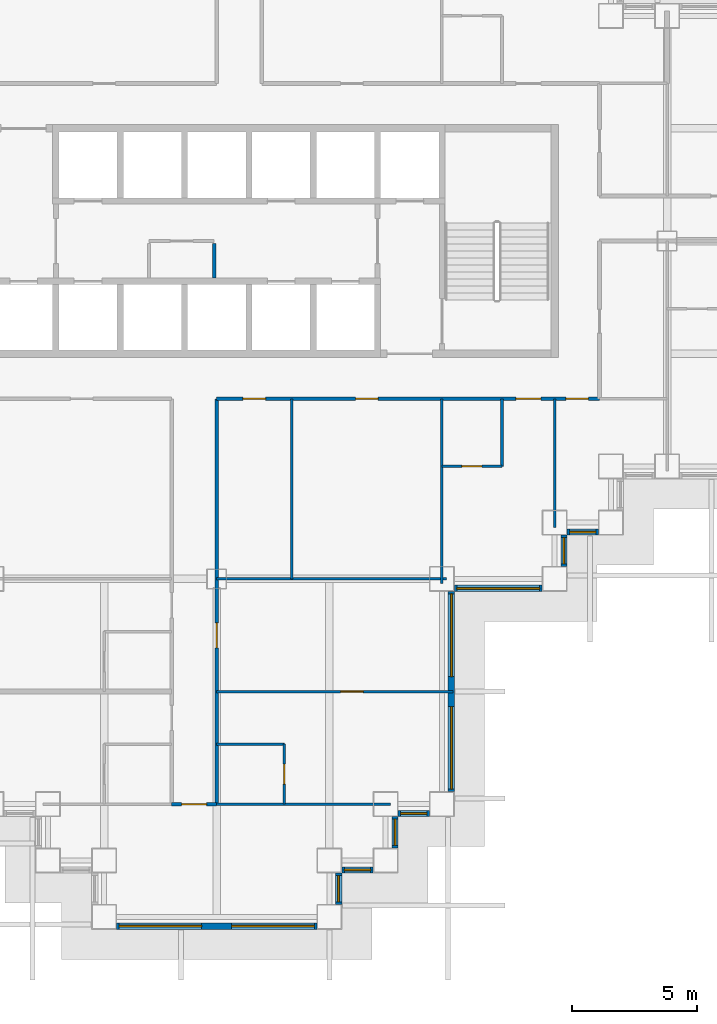
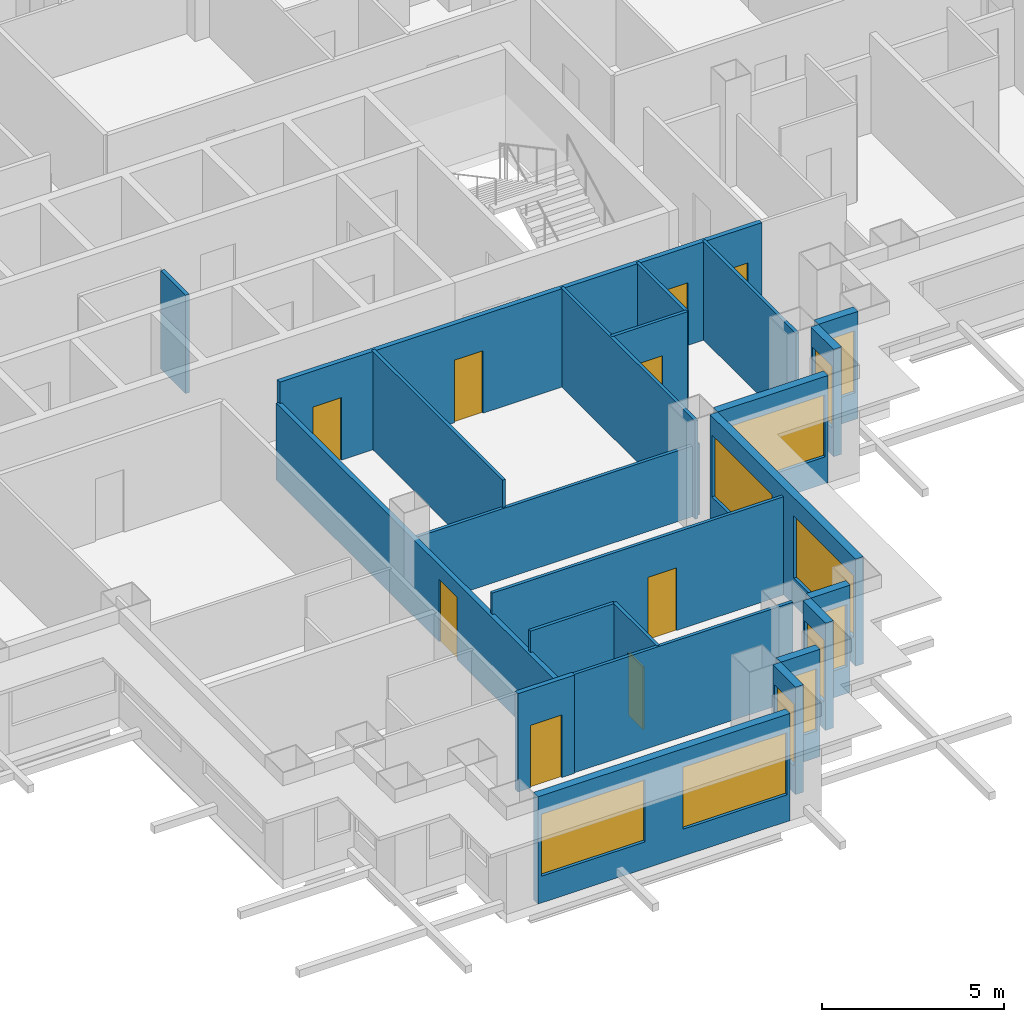
# One storey, part 5 of 15: 23 walls, 11 windows, 9 doors, 20 openings.
"""IFC4 building model written with IfcOpenShell, lengths in metres."""

from ifc_helpers import new_model, si_unit, direction, frame, frame_2d, origin, place, context, subcontext, project, spatial, rectangle, extrude, material, layer, layer_set, type_object, element, fill, save


model = new_model("IFC4")

# Units and contexts
model_context = context("Model", 3, precision=1e-05, world=origin(), true_north=direction((0.0, 1.0)))
body_context = subcontext(model_context, "Body", "Model", "MODEL_VIEW")
ifc_project = project(units=[si_unit("LENGTHUNIT", "METRE"), si_unit("AREAUNIT", "SQUARE_METRE"), si_unit("VOLUMEUNIT", "CUBIC_METRE"), si_unit("PLANEANGLEUNIT", "RADIAN"), si_unit("MASSUNIT", "GRAM", prefix="KILO")], contexts=[model_context])

# Site, building, storey
site_placement = place(None, origin())
site = spatial("IfcSite", under=ifc_project, at=site_placement, CompositionType="ELEMENT")
building_placement = place(site_placement, origin())
building = spatial("IfcBuilding", under=site, at=building_placement, Name="Caravel Reach Hotel and Residences", CompositionType="ELEMENT")
storey_placement = place(building_placement, frame((0.0, 0.0, 60.0)))
storey = spatial("IfcBuildingStorey", under=building, at=storey_placement, Name="L13", CompositionType="ELEMENT", Elevation=60.0)

# Wall, opening, door
ifc_material_1 = material(Name="Gypsum board on steel stud", Category="steel")
ifc_layer_1 = layer(ifc_material_1, 0.10009765625)
ifc_layer_set_1 = layer_set([ifc_layer_1], Name="Bathroom pod wall 100 mm")
wall_type_1 = type_object("IfcWallType", Name="Bathroom pod wall 100 mm", PredefinedType="PARTITIONING", material=ifc_layer_set_1)
wall_1_placement = place(storey_placement, frame((40.5, 18.0, 0.0), z_axis=(0.0, 0.0, 1.0), x_axis=(1.0, 0.0, 0.0)))
wall_1 = element("IfcWall", 1, at=wall_1_placement, inside=storey, type_object=wall_type_1, Name="L13 wall w076", PredefinedType="PARTITIONING", context=body_context, shape_type="SweptSolid", body=[
    extrude(rectangle(XDim=2.39990234375, YDim=0.10009765625, at=frame_2d((1.199951171875, 0.0))), origin(), (0.0, 0.0, 1.0), 3.300048828125),
])
opening_1_placement = place(wall_1_placement, frame((0.800048828125, 0.0, 0.0)))
opening_1 = element("IfcOpeningElement", 2, at=opening_1_placement, cuts=wall_1, Name="Opening D13-050", PredefinedType="OPENING", context=body_context, shape_type="SweptSolid", body=[
    extrude(rectangle(XDim=0.800048828125, YDim=2.10009765625, at=frame_2d((0.39990234375, 1.050048828125))), frame((0.0, 0.06005859375, 0.0), z_axis=(0.0, -1.0, 0.0), x_axis=(1.0, 0.0, 0.0)), (0.0, 0.0, 1.0), 0.1201171875),
])
ifc_material_2 = material(Name="Timber and steel door leaf", Category="steel")
door_type_1 = type_object("IfcDoorType", Name="Bathroom door 800 x 2100", OperationType="SINGLE_SWING_LEFT", PredefinedType="DOOR", material=ifc_material_2)
door_1_placement = place(opening_1_placement, origin())
door_1 = element("IfcDoor", 3, at=door_1_placement, inside=storey, type_object=door_type_1, Name="door D13-050", OperationType="SINGLE_SWING_LEFT", OverallHeight=2.10009765625, OverallWidth=0.800048828125, PredefinedType="DOOR", context=body_context, shape_type="SweptSolid", body=[
    extrude(rectangle(XDim=0.800048828125, YDim=2.10009765625, at=frame_2d((0.39990234375, 1.050048828125))), frame((0.0, 0.02490234375, 0.0), z_axis=(0.0, -1.0, 0.0), x_axis=(1.0, 0.0, 0.0)), (0.0, 0.0, 1.0), 0.050048828125),
])
fill(opening_1, door_1)

# Wall
wall_2_placement = place(storey_placement, frame((31.5, 6.89990234375, 0.0), z_axis=(0.0, 0.0, 1.0), x_axis=(1.0, 0.0, 0.0)))
element("IfcWall", 4, at=wall_2_placement, inside=storey, type_object=wall_type_1, Name="L13 wall w087", PredefinedType="PARTITIONING", context=body_context, shape_type="SweptSolid", body=[
    extrude(rectangle(XDim=2.699951171875, YDim=0.10009765625, at=frame_2d((1.35009765625, 0.0))), origin(), (0.0, 0.0, 1.0), 3.300048828125),
])

# Wall, opening, door
wall_3_placement = place(storey_placement, frame((34.199951171875, 4.5, 0.0), z_axis=(0.0, 0.0, 1.0), x_axis=(0.0, 1.0, 0.0)))
wall_3 = element("IfcWall", 5, at=wall_3_placement, inside=storey, type_object=wall_type_1, Name="L13 wall w095", PredefinedType="PARTITIONING", context=body_context, shape_type="SweptSolid", body=[
    extrude(rectangle(XDim=2.39990234375, YDim=0.10009765625, at=frame_2d((1.199951171875, 0.0))), origin(), (0.0, 0.0, 1.0), 3.300048828125),
])
opening_2_placement = place(wall_3_placement, frame((0.800048828125, 0.0, 0.0)))
opening_2 = element("IfcOpeningElement", 6, at=opening_2_placement, cuts=wall_3, Name="Opening D13-036", PredefinedType="OPENING", context=body_context, shape_type="SweptSolid", body=[
    extrude(rectangle(XDim=0.800048828125, YDim=2.10009765625, at=frame_2d((0.39990234375, 1.050048828125))), frame((0.0, 0.06005859375, 0.0), z_axis=(0.0, -1.0, 0.0), x_axis=(1.0, 0.0, 0.0)), (0.0, 0.0, 1.0), 0.1201171875),
])
door_2_placement = place(opening_2_placement, origin())
door_2 = element("IfcDoor", 7, at=door_2_placement, inside=storey, type_object=door_type_1, Name="door D13-036", OperationType="SINGLE_SWING_LEFT", OverallHeight=2.10009765625, OverallWidth=0.800048828125, PredefinedType="DOOR", context=body_context, shape_type="SweptSolid", body=[
    extrude(rectangle(XDim=0.800048828125, YDim=2.10009765625, at=frame_2d((0.39990234375, 1.050048828125))), frame((0.0, 0.02490234375, 0.0), z_axis=(0.0, -1.0, 0.0), x_axis=(1.0, 0.0, 0.0)), (0.0, 0.0, 1.0), 0.050048828125),
])
fill(opening_2, door_2)

# Wall
wall_4_placement = place(storey_placement, frame((42.89990234375, 18.0, 0.0), z_axis=(0.0, 0.0, 1.0), x_axis=(0.0, 1.0, 0.0)))
element("IfcWall", 8, at=wall_4_placement, inside=storey, type_object=wall_type_1, Name="L13 wall w098", PredefinedType="PARTITIONING", context=body_context, shape_type="SweptSolid", body=[
    extrude(rectangle(XDim=2.699951171875, YDim=0.10009765625, at=frame_2d((1.35009765625, 0.0))), origin(), (0.0, 0.0, 1.0), 3.300048828125),
])

# Wall, openings, doors
ifc_material_3 = material(Name="Gypsum board on steel stud, fire-rated", Category="steel")
ifc_layer_2 = layer(ifc_material_3, 0.14990234375)
ifc_layer_set_2 = layer_set([ifc_layer_2], Name="Corridor wall 150 mm EI 60")
wall_type_2 = type_object("IfcWallType", Name="Corridor wall 150 mm EI 60", PredefinedType="PARTITIONING", material=ifc_layer_set_2)
wall_5_placement = place(storey_placement, frame((31.5, 20.699951171875, 0.0), z_axis=(0.0, 0.0, 1.0), x_axis=(1.0, 0.0, 0.0)))
wall_5 = element("IfcWall", 9, at=wall_5_placement, inside=storey, type_object=wall_type_2, Name="L13 wall w004", PredefinedType="PARTITIONING", context=body_context, shape_type="SweptSolid", body=[
    extrude(rectangle(XDim=15.300048828125, YDim=0.14990234375, at=frame_2d((7.64990234375, 0.0))), origin(), (0.0, 0.0, 1.0), 3.300048828125),
])
opening_3_placement = place(wall_5_placement, frame((11.949951171875, 0.0, 0.0)))
opening_3 = element("IfcOpeningElement", 10, at=opening_3_placement, cuts=wall_5, Name="Opening D13-049", PredefinedType="OPENING", context=body_context, shape_type="SweptSolid", body=[
    extrude(rectangle(XDim=1.0, YDim=2.10009765625, at=frame_2d((0.5, 1.050048828125))), frame((0.0, 0.0849609375, 0.0), z_axis=(0.0, -1.0, 0.0), x_axis=(1.0, 0.0, 0.0)), (0.0, 0.0, 1.0), 0.169921875),
])
opening_4_placement = place(wall_5_placement, frame((13.949951171875, 0.0, 0.0)))
opening_4 = element("IfcOpeningElement", 11, at=opening_4_placement, cuts=wall_5, Name="Opening D13-051", PredefinedType="OPENING", context=body_context, shape_type="SweptSolid", body=[
    extrude(rectangle(XDim=0.89990234375, YDim=2.10009765625, at=frame_2d((0.449951171875, 1.050048828125))), frame((0.0, 0.0849609375, 0.0), z_axis=(0.0, -1.0, 0.0), x_axis=(1.0, 0.0, 0.0)), (0.0, 0.0, 1.0), 0.169921875),
])
opening_5_placement = place(wall_5_placement, frame((1.050048828125, 0.0, 0.0)))
opening_5 = element("IfcOpeningElement", 12, at=opening_5_placement, cuts=wall_5, Name="Opening D13-055", PredefinedType="OPENING", context=body_context, shape_type="SweptSolid", body=[
    extrude(rectangle(XDim=0.89990234375, YDim=2.10009765625, at=frame_2d((0.449951171875, 1.050048828125))), frame((0.0, 0.0849609375, 0.0), z_axis=(0.0, -1.0, 0.0), x_axis=(1.0, 0.0, 0.0)), (0.0, 0.0, 1.0), 0.169921875),
])
opening_6_placement = place(wall_5_placement, frame((5.550048828125, 0.0, 0.0)))
opening_6 = element("IfcOpeningElement", 13, at=opening_6_placement, cuts=wall_5, Name="Opening D13-056", PredefinedType="OPENING", context=body_context, shape_type="SweptSolid", body=[
    extrude(rectangle(XDim=0.89990234375, YDim=2.10009765625, at=frame_2d((0.449951171875, 1.050048828125))), frame((0.0, 0.0849609375, 0.0), z_axis=(0.0, -1.0, 0.0), x_axis=(1.0, 0.0, 0.0)), (0.0, 0.0, 1.0), 0.169921875),
])
ifc_material_4 = material(Name="Timber and steel door leaf", Category="steel")
door_type_2 = type_object("IfcDoorType", Name="Door 900 x 2100 timber", OperationType="SINGLE_SWING_LEFT", PredefinedType="DOOR", material=ifc_material_4)
door_3_placement = place(opening_4_placement, origin())
door_3 = element("IfcDoor", 14, at=door_3_placement, inside=storey, type_object=door_type_2, Name="door D13-051", OperationType="SINGLE_SWING_RIGHT", OverallHeight=2.10009765625, OverallWidth=0.89990234375, PredefinedType="DOOR", context=body_context, shape_type="SweptSolid", body=[
    extrude(rectangle(XDim=0.89990234375, YDim=2.10009765625, at=frame_2d((0.449951171875, 1.050048828125))), frame((0.0, 0.02490234375, 0.0), z_axis=(0.0, -1.0, 0.0), x_axis=(1.0, 0.0, 0.0)), (0.0, 0.0, 1.0), 0.050048828125),
])
fill(opening_4, door_3)
door_4_placement = place(opening_5_placement, origin())
door_4 = element("IfcDoor", 15, at=door_4_placement, inside=storey, type_object=door_type_2, Name="door D13-055", OperationType="SINGLE_SWING_LEFT", OverallHeight=2.10009765625, OverallWidth=0.89990234375, PredefinedType="DOOR", context=body_context, shape_type="SweptSolid", body=[
    extrude(rectangle(XDim=0.89990234375, YDim=2.10009765625, at=frame_2d((0.449951171875, 1.050048828125))), frame((0.0, 0.02490234375, 0.0), z_axis=(0.0, -1.0, 0.0), x_axis=(1.0, 0.0, 0.0)), (0.0, 0.0, 1.0), 0.050048828125),
])
fill(opening_5, door_4)
door_5_placement = place(opening_6_placement, origin())
door_5 = element("IfcDoor", 16, at=door_5_placement, inside=storey, type_object=door_type_2, Name="door D13-056", OperationType="SINGLE_SWING_RIGHT", OverallHeight=2.10009765625, OverallWidth=0.89990234375, PredefinedType="DOOR", context=body_context, shape_type="SweptSolid", body=[
    extrude(rectangle(XDim=0.89990234375, YDim=2.10009765625, at=frame_2d((0.449951171875, 1.050048828125))), frame((0.0, 0.02490234375, 0.0), z_axis=(0.0, -1.0, 0.0), x_axis=(1.0, 0.0, 0.0)), (0.0, 0.0, 1.0), 0.050048828125),
])
fill(opening_6, door_5)
ifc_material_5 = material(Name="Steel fire door leaf", Category="steel")
door_type_3 = type_object("IfcDoorType", Name="Guest room door 1000 x 2100 EI 30", OperationType="SINGLE_SWING_LEFT", PredefinedType="DOOR", material=ifc_material_5)
door_6_placement = place(opening_3_placement, origin())
door_6 = element("IfcDoor", 17, at=door_6_placement, inside=storey, type_object=door_type_3, Name="door D13-049", OperationType="SINGLE_SWING_RIGHT", OverallHeight=2.10009765625, OverallWidth=1.0, PredefinedType="DOOR", context=body_context, shape_type="SweptSolid", body=[
    extrude(rectangle(XDim=1.0, YDim=2.10009765625, at=frame_2d((0.5, 1.050048828125))), frame((0.0, 0.02490234375, 0.0), z_axis=(0.0, -1.0, 0.0), x_axis=(1.0, 0.0, 0.0)), (0.0, 0.0, 1.0), 0.050048828125),
])
fill(opening_3, door_6)

# Wall, opening, door
wall_6_placement = place(storey_placement, frame((29.699951171875, 4.5, 0.0), z_axis=(0.0, 0.0, 1.0), x_axis=(1.0, 0.0, 0.0)))
wall_6 = element("IfcWall", 18, at=wall_6_placement, inside=storey, type_object=wall_type_2, Name="L13 wall w022", PredefinedType="PARTITIONING", context=body_context, shape_type="SweptSolid", body=[
    extrude(rectangle(XDim=1.800048828125, YDim=0.14990234375, at=frame_2d((0.89990234375, 0.0))), origin(), (0.0, 0.0, 1.0), 3.300048828125),
])
opening_7_placement = place(wall_6_placement, frame((0.39990234375, 0.0, 0.0)))
opening_7 = element("IfcOpeningElement", 19, at=opening_7_placement, cuts=wall_6, Name="Opening D13-040", PredefinedType="OPENING", context=body_context, shape_type="SweptSolid", body=[
    extrude(rectangle(XDim=1.0, YDim=2.10009765625, at=frame_2d((0.5, 1.050048828125))), frame((0.0, 0.0849609375, 0.0), z_axis=(0.0, -1.0, 0.0), x_axis=(1.0, 0.0, 0.0)), (0.0, 0.0, 1.0), 0.169921875),
])
door_7_placement = place(opening_7_placement, origin())
door_7 = element("IfcDoor", 20, at=door_7_placement, inside=storey, type_object=door_type_3, Name="door D13-040", OperationType="SINGLE_SWING_LEFT", OverallHeight=2.10009765625, OverallWidth=1.0, PredefinedType="DOOR", context=body_context, shape_type="SweptSolid", body=[
    extrude(rectangle(XDim=1.0, YDim=2.10009765625, at=frame_2d((0.5, 1.050048828125))), frame((0.0, 0.02490234375, 0.0), z_axis=(0.0, -1.0, 0.0), x_axis=(1.0, 0.0, 0.0)), (0.0, 0.0, 1.0), 0.050048828125),
])
fill(opening_7, door_7)

wall_7_placement = place(storey_placement, frame((31.5, 4.5, 0.0), z_axis=(0.0, 0.0, 1.0), x_axis=(0.0, 1.0, 0.0)))
wall_7 = element("IfcWall", 21, at=wall_7_placement, inside=storey, type_object=wall_type_2, Name="L13 wall w032", PredefinedType="PARTITIONING", context=body_context, shape_type="SweptSolid", body=[
    extrude(rectangle(XDim=16.199951171875, YDim=0.14990234375, at=frame_2d((8.10009765625, 0.0))), origin(), (0.0, 0.0, 1.0), 2.580078125),
])
opening_8_placement = place(wall_7_placement, frame((6.25, 0.0, 0.0)))
opening_8 = element("IfcOpeningElement", 22, at=opening_8_placement, cuts=wall_7, Name="Opening D13-034", PredefinedType="OPENING", context=body_context, shape_type="SweptSolid", body=[
    extrude(rectangle(XDim=1.0, YDim=2.10009765625, at=frame_2d((0.5, 1.050048828125))), frame((0.0, 0.0849609375, 0.0), z_axis=(0.0, -1.0, 0.0), x_axis=(1.0, 0.0, 0.0)), (0.0, 0.0, 1.0), 0.169921875),
])
door_8_placement = place(opening_8_placement, origin())
door_8 = element("IfcDoor", 23, at=door_8_placement, inside=storey, type_object=door_type_3, Name="door D13-034", OperationType="SINGLE_SWING_RIGHT", OverallHeight=2.10009765625, OverallWidth=1.0, PredefinedType="DOOR", context=body_context, shape_type="SweptSolid", body=[
    extrude(rectangle(XDim=1.0, YDim=2.10009765625, at=frame_2d((0.5, 1.050048828125))), frame((0.0, 0.02490234375, 0.0), z_axis=(0.0, -1.0, 0.0), x_axis=(1.0, 0.0, 0.0)), (0.0, 0.0, 1.0), 0.050048828125),
])
fill(opening_8, door_8)

# Wall, openings, windows
ifc_material_6 = material(Name="Insulated rainscreen wall, aluminium cladding", Category="aluminium")
ifc_layer_3 = layer(ifc_material_6, 0.25)
ifc_layer_set_3 = layer_set([ifc_layer_3], Name="EW1 Tower rainscreen wall")
wall_type_3 = type_object("IfcWallType", Name="EW1 Tower rainscreen wall", PredefinedType="SOLIDWALL", material=ifc_layer_set_3)
wall_8_placement = place(storey_placement, frame((27.5, -0.375, 0.0), z_axis=(0.0, 0.0, 1.0), x_axis=(1.0, 0.0, 0.0)))
wall_8 = element("IfcWall", 24, at=wall_8_placement, inside=storey, type_object=wall_type_3, Name="External wall L13 S5.1", PredefinedType="SOLIDWALL", context=body_context, shape_type="SweptSolid", body=[
    extrude(rectangle(XDim=8.0, YDim=0.25, at=frame_2d((4.0, 0.0))), origin(), (0.0, 0.0, 1.0), 3.60009765625),
])
opening_9_placement = place(wall_8_placement, frame((0.10009765625, 0.0, 0.89990234375)))
opening_9 = element("IfcOpeningElement", 25, at=opening_9_placement, cuts=wall_8, Name="Opening WN4", PredefinedType="OPENING", context=body_context, shape_type="SweptSolid", body=[
    extrude(rectangle(XDim=3.300048828125, YDim=2.080078125, at=frame_2d((1.64990234375, 1.0400390625))), frame((0.0, 0.135009765625, 0.0), z_axis=(0.0, -1.0, 0.0), x_axis=(1.0, 0.0, 0.0)), (0.0, 0.0, 1.0), 0.27001953125),
])
opening_10_placement = place(wall_8_placement, frame((4.60009765625, 0.0, 0.89990234375)))
opening_10 = element("IfcOpeningElement", 26, at=opening_10_placement, cuts=wall_8, Name="Opening WN4", PredefinedType="OPENING", context=body_context, shape_type="SweptSolid", body=[
    extrude(rectangle(XDim=3.300048828125, YDim=2.080078125, at=frame_2d((1.64990234375, 1.0400390625))), frame((0.0, 0.135009765625, 0.0), z_axis=(0.0, -1.0, 0.0), x_axis=(1.0, 0.0, 0.0)), (0.0, 0.0, 1.0), 0.27001953125),
])
ifc_material_7 = material(Name="Dark low-e glazing in black aluminium frame", Category="aluminium")
window_type_1 = type_object("IfcWindowType", Name="Hotel guest room window 3300 x 2080", PartitioningType="SINGLE_PANEL", PredefinedType="WINDOW", material=ifc_material_7)
window_1_placement = place(opening_9_placement, origin())
window_1 = element("IfcWindow", 27, at=window_1_placement, inside=storey, type_object=window_type_1, Name="Window L13 S5.1.1", OverallHeight=2.080078125, OverallWidth=3.300048828125, PartitioningType="SINGLE_PANEL", PredefinedType="WINDOW", context=body_context, shape_type="SweptSolid", body=[
    extrude(rectangle(XDim=3.300048828125, YDim=2.080078125, at=frame_2d((1.64990234375, 1.0400390625))), frame((0.0, 0.030029296875, 0.0), z_axis=(0.0, -1.0, 0.0), x_axis=(1.0, 0.0, 0.0)), (0.0, 0.0, 1.0), 0.06005859375),
])
fill(opening_9, window_1)
window_2_placement = place(opening_10_placement, origin())
window_2 = element("IfcWindow", 28, at=window_2_placement, inside=storey, type_object=window_type_1, Name="Window L13 S5.1.2", OverallHeight=2.080078125, OverallWidth=3.300048828125, PartitioningType="SINGLE_PANEL", PredefinedType="WINDOW", context=body_context, shape_type="SweptSolid", body=[
    extrude(rectangle(XDim=3.300048828125, YDim=2.080078125, at=frame_2d((1.64990234375, 1.0400390625))), frame((0.0, 0.030029296875, 0.0), z_axis=(0.0, -1.0, 0.0), x_axis=(1.0, 0.0, 0.0)), (0.0, 0.0, 1.0), 0.06005859375),
])
fill(opening_10, window_2)

# Wall, opening, window
wall_9_placement = place(storey_placement, frame((36.375, 0.5, 0.0), z_axis=(0.0, 0.0, 1.0), x_axis=(0.0, 1.0, 0.0)))
wall_9 = element("IfcWall", 29, at=wall_9_placement, inside=storey, type_object=wall_type_3, Name="External wall L13 E6.1", PredefinedType="SOLIDWALL", context=body_context, shape_type="SweptSolid", body=[
    extrude(rectangle(XDim=1.25, YDim=0.25, at=frame_2d((0.625, 0.0))), origin(), (0.0, 0.0, 1.0), 3.60009765625),
])
opening_11_placement = place(wall_9_placement, frame((0.10009765625, 0.0, 0.89990234375)))
opening_11 = element("IfcOpeningElement", 30, at=opening_11_placement, cuts=wall_9, Name="Opening WN3", PredefinedType="OPENING", context=body_context, shape_type="SweptSolid", body=[
    extrude(rectangle(XDim=1.050048828125, YDim=2.080078125, at=frame_2d((0.52490234375, 1.0400390625))), frame((0.0, 0.135009765625, 0.0), z_axis=(0.0, -1.0, 0.0), x_axis=(1.0, 0.0, 0.0)), (0.0, 0.0, 1.0), 0.27001953125),
])
ifc_material_8 = material(Name="Dark low-e glazing in black aluminium frame", Category="aluminium")
window_type_2 = type_object("IfcWindowType", Name="Hotel suite corner window 1050 x 2080", PartitioningType="SINGLE_PANEL", PredefinedType="WINDOW", material=ifc_material_8)
window_3_placement = place(opening_11_placement, origin())
window_3 = element("IfcWindow", 31, at=window_3_placement, inside=storey, type_object=window_type_2, Name="Window L13 E6.1.1", OverallHeight=2.080078125, OverallWidth=1.050048828125, PartitioningType="SINGLE_PANEL", PredefinedType="WINDOW", context=body_context, shape_type="SweptSolid", body=[
    extrude(rectangle(XDim=1.050048828125, YDim=2.080078125, at=frame_2d((0.52490234375, 1.0400390625))), frame((0.0, 0.030029296875, 0.0), z_axis=(0.0, -1.0, 0.0), x_axis=(1.0, 0.0, 0.0)), (0.0, 0.0, 1.0), 0.06005859375),
])
fill(opening_11, window_3)

wall_10_placement = place(storey_placement, frame((36.5, 1.875, 0.0), z_axis=(0.0, 0.0, 1.0), x_axis=(1.0, 0.0, 0.0)))
wall_10 = element("IfcWall", 32, at=wall_10_placement, inside=storey, type_object=wall_type_3, Name="External wall L13 S7.1", PredefinedType="SOLIDWALL", context=body_context, shape_type="SweptSolid", body=[
    extrude(rectangle(XDim=1.25, YDim=0.25, at=frame_2d((0.625, 0.0))), origin(), (0.0, 0.0, 1.0), 3.60009765625),
])
opening_12_placement = place(wall_10_placement, frame((0.10009765625, 0.0, 0.89990234375)))
opening_12 = element("IfcOpeningElement", 33, at=opening_12_placement, cuts=wall_10, Name="Opening WN3", PredefinedType="OPENING", context=body_context, shape_type="SweptSolid", body=[
    extrude(rectangle(XDim=1.050048828125, YDim=2.080078125, at=frame_2d((0.52490234375, 1.0400390625))), frame((0.0, 0.135009765625, 0.0), z_axis=(0.0, -1.0, 0.0), x_axis=(1.0, 0.0, 0.0)), (0.0, 0.0, 1.0), 0.27001953125),
])
window_4_placement = place(opening_12_placement, origin())
window_4 = element("IfcWindow", 34, at=window_4_placement, inside=storey, type_object=window_type_2, Name="Window L13 S7.1.1", OverallHeight=2.080078125, OverallWidth=1.050048828125, PartitioningType="SINGLE_PANEL", PredefinedType="WINDOW", context=body_context, shape_type="SweptSolid", body=[
    extrude(rectangle(XDim=1.050048828125, YDim=2.080078125, at=frame_2d((0.52490234375, 1.0400390625))), frame((0.0, 0.030029296875, 0.0), z_axis=(0.0, -1.0, 0.0), x_axis=(1.0, 0.0, 0.0)), (0.0, 0.0, 1.0), 0.06005859375),
])
fill(opening_12, window_4)

wall_11_placement = place(storey_placement, frame((38.625, 2.75, 0.0), z_axis=(0.0, 0.0, 1.0), x_axis=(0.0, 1.0, 0.0)))
wall_11 = element("IfcWall", 35, at=wall_11_placement, inside=storey, type_object=wall_type_3, Name="External wall L13 E8.1", PredefinedType="SOLIDWALL", context=body_context, shape_type="SweptSolid", body=[
    extrude(rectangle(XDim=1.25, YDim=0.25, at=frame_2d((0.625, 0.0))), origin(), (0.0, 0.0, 1.0), 3.60009765625),
])
opening_13_placement = place(wall_11_placement, frame((0.10009765625, 0.0, 0.89990234375)))
opening_13 = element("IfcOpeningElement", 36, at=opening_13_placement, cuts=wall_11, Name="Opening WN3", PredefinedType="OPENING", context=body_context, shape_type="SweptSolid", body=[
    extrude(rectangle(XDim=1.050048828125, YDim=2.080078125, at=frame_2d((0.52490234375, 1.0400390625))), frame((0.0, 0.135009765625, 0.0), z_axis=(0.0, -1.0, 0.0), x_axis=(1.0, 0.0, 0.0)), (0.0, 0.0, 1.0), 0.27001953125),
])
window_5_placement = place(opening_13_placement, origin())
window_5 = element("IfcWindow", 37, at=window_5_placement, inside=storey, type_object=window_type_2, Name="Window L13 E8.1.1", OverallHeight=2.080078125, OverallWidth=1.050048828125, PartitioningType="SINGLE_PANEL", PredefinedType="WINDOW", context=body_context, shape_type="SweptSolid", body=[
    extrude(rectangle(XDim=1.050048828125, YDim=2.080078125, at=frame_2d((0.52490234375, 1.0400390625))), frame((0.0, 0.030029296875, 0.0), z_axis=(0.0, -1.0, 0.0), x_axis=(1.0, 0.0, 0.0)), (0.0, 0.0, 1.0), 0.06005859375),
])
fill(opening_13, window_5)

wall_12_placement = place(storey_placement, frame((38.75, 4.125, 0.0), z_axis=(0.0, 0.0, 1.0), x_axis=(1.0, 0.0, 0.0)))
wall_12 = element("IfcWall", 38, at=wall_12_placement, inside=storey, type_object=wall_type_3, Name="External wall L13 S9.1", PredefinedType="SOLIDWALL", context=body_context, shape_type="SweptSolid", body=[
    extrude(rectangle(XDim=1.25, YDim=0.25, at=frame_2d((0.625, 0.0))), origin(), (0.0, 0.0, 1.0), 3.60009765625),
])
opening_14_placement = place(wall_12_placement, frame((0.10009765625, 0.0, 0.89990234375)))
opening_14 = element("IfcOpeningElement", 39, at=opening_14_placement, cuts=wall_12, Name="Opening WN3", PredefinedType="OPENING", context=body_context, shape_type="SweptSolid", body=[
    extrude(rectangle(XDim=1.050048828125, YDim=2.080078125, at=frame_2d((0.52490234375, 1.0400390625))), frame((0.0, 0.135009765625, 0.0), z_axis=(0.0, -1.0, 0.0), x_axis=(1.0, 0.0, 0.0)), (0.0, 0.0, 1.0), 0.27001953125),
])
window_6_placement = place(opening_14_placement, origin())
window_6 = element("IfcWindow", 40, at=window_6_placement, inside=storey, type_object=window_type_2, Name="Window L13 S9.1.1", OverallHeight=2.080078125, OverallWidth=1.050048828125, PartitioningType="SINGLE_PANEL", PredefinedType="WINDOW", context=body_context, shape_type="SweptSolid", body=[
    extrude(rectangle(XDim=1.050048828125, YDim=2.080078125, at=frame_2d((0.52490234375, 1.0400390625))), frame((0.0, 0.030029296875, 0.0), z_axis=(0.0, -1.0, 0.0), x_axis=(1.0, 0.0, 0.0)), (0.0, 0.0, 1.0), 0.06005859375),
])
fill(opening_14, window_6)

# Wall, openings, windows
wall_13_placement = place(storey_placement, frame((40.875, 5.0, 0.0), z_axis=(0.0, 0.0, 1.0), x_axis=(0.0, 1.0, 0.0)))
wall_13 = element("IfcWall", 41, at=wall_13_placement, inside=storey, type_object=wall_type_3, Name="External wall L13 E10.1", PredefinedType="SOLIDWALL", context=body_context, shape_type="SweptSolid", body=[
    extrude(rectangle(XDim=8.0, YDim=0.25, at=frame_2d((4.0, 0.0))), origin(), (0.0, 0.0, 1.0), 3.60009765625),
])
opening_15_placement = place(wall_13_placement, frame((0.10009765625, 0.0, 0.89990234375)))
opening_15 = element("IfcOpeningElement", 42, at=opening_15_placement, cuts=wall_13, Name="Opening WN4", PredefinedType="OPENING", context=body_context, shape_type="SweptSolid", body=[
    extrude(rectangle(XDim=3.300048828125, YDim=2.080078125, at=frame_2d((1.64990234375, 1.0400390625))), frame((0.0, 0.135009765625, 0.0), z_axis=(0.0, -1.0, 0.0), x_axis=(1.0, 0.0, 0.0)), (0.0, 0.0, 1.0), 0.27001953125),
])
opening_16_placement = place(wall_13_placement, frame((4.60009765625, 0.0, 0.89990234375)))
opening_16 = element("IfcOpeningElement", 43, at=opening_16_placement, cuts=wall_13, Name="Opening WN4", PredefinedType="OPENING", context=body_context, shape_type="SweptSolid", body=[
    extrude(rectangle(XDim=3.300048828125, YDim=2.080078125, at=frame_2d((1.64990234375, 1.0400390625))), frame((0.0, 0.135009765625, 0.0), z_axis=(0.0, -1.0, 0.0), x_axis=(1.0, 0.0, 0.0)), (0.0, 0.0, 1.0), 0.27001953125),
])
window_7_placement = place(opening_15_placement, origin())
window_7 = element("IfcWindow", 44, at=window_7_placement, inside=storey, type_object=window_type_1, Name="Window L13 E10.1.1", OverallHeight=2.080078125, OverallWidth=3.300048828125, PartitioningType="SINGLE_PANEL", PredefinedType="WINDOW", context=body_context, shape_type="SweptSolid", body=[
    extrude(rectangle(XDim=3.300048828125, YDim=2.080078125, at=frame_2d((1.64990234375, 1.0400390625))), frame((0.0, 0.030029296875, 0.0), z_axis=(0.0, -1.0, 0.0), x_axis=(1.0, 0.0, 0.0)), (0.0, 0.0, 1.0), 0.06005859375),
])
fill(opening_15, window_7)
window_8_placement = place(opening_16_placement, origin())
window_8 = element("IfcWindow", 45, at=window_8_placement, inside=storey, type_object=window_type_1, Name="Window L13 E10.1.2", OverallHeight=2.080078125, OverallWidth=3.300048828125, PartitioningType="SINGLE_PANEL", PredefinedType="WINDOW", context=body_context, shape_type="SweptSolid", body=[
    extrude(rectangle(XDim=3.300048828125, YDim=2.080078125, at=frame_2d((1.64990234375, 1.0400390625))), frame((0.0, 0.030029296875, 0.0), z_axis=(0.0, -1.0, 0.0), x_axis=(1.0, 0.0, 0.0)), (0.0, 0.0, 1.0), 0.06005859375),
])
fill(opening_16, window_8)

# Wall, opening, window
wall_14_placement = place(storey_placement, frame((41.0, 13.125, 0.0), z_axis=(0.0, 0.0, 1.0), x_axis=(1.0, 0.0, 0.0)))
wall_14 = element("IfcWall", 46, at=wall_14_placement, inside=storey, type_object=wall_type_3, Name="External wall L13 S11.1", PredefinedType="SOLIDWALL", context=body_context, shape_type="SweptSolid", body=[
    extrude(rectangle(XDim=3.5, YDim=0.25, at=frame_2d((1.75, 0.0))), origin(), (0.0, 0.0, 1.0), 3.60009765625),
])
opening_17_placement = place(wall_14_placement, frame((0.10009765625, 0.0, 0.89990234375)))
opening_17 = element("IfcOpeningElement", 47, at=opening_17_placement, cuts=wall_14, Name="Opening WN4", PredefinedType="OPENING", context=body_context, shape_type="SweptSolid", body=[
    extrude(rectangle(XDim=3.300048828125, YDim=2.080078125, at=frame_2d((1.64990234375, 1.0400390625))), frame((0.0, 0.135009765625, 0.0), z_axis=(0.0, -1.0, 0.0), x_axis=(1.0, 0.0, 0.0)), (0.0, 0.0, 1.0), 0.27001953125),
])
window_9_placement = place(opening_17_placement, origin())
window_9 = element("IfcWindow", 48, at=window_9_placement, inside=storey, type_object=window_type_1, Name="Window L13 S11.1.1", OverallHeight=2.080078125, OverallWidth=3.300048828125, PartitioningType="SINGLE_PANEL", PredefinedType="WINDOW", context=body_context, shape_type="SweptSolid", body=[
    extrude(rectangle(XDim=3.300048828125, YDim=2.080078125, at=frame_2d((1.64990234375, 1.0400390625))), frame((0.0, 0.030029296875, 0.0), z_axis=(0.0, -1.0, 0.0), x_axis=(1.0, 0.0, 0.0)), (0.0, 0.0, 1.0), 0.06005859375),
])
fill(opening_17, window_9)

wall_15_placement = place(storey_placement, frame((45.375, 14.0, 0.0), z_axis=(0.0, 0.0, 1.0), x_axis=(0.0, 1.0, 0.0)))
wall_15 = element("IfcWall", 49, at=wall_15_placement, inside=storey, type_object=wall_type_3, Name="External wall L13 E12.1", PredefinedType="SOLIDWALL", context=body_context, shape_type="SweptSolid", body=[
    extrude(rectangle(XDim=1.25, YDim=0.25, at=frame_2d((0.625, 0.0))), origin(), (0.0, 0.0, 1.0), 3.60009765625),
])
opening_18_placement = place(wall_15_placement, frame((0.10009765625, 0.0, 0.89990234375)))
opening_18 = element("IfcOpeningElement", 50, at=opening_18_placement, cuts=wall_15, Name="Opening WN3", PredefinedType="OPENING", context=body_context, shape_type="SweptSolid", body=[
    extrude(rectangle(XDim=1.050048828125, YDim=2.080078125, at=frame_2d((0.52490234375, 1.0400390625))), frame((0.0, 0.135009765625, 0.0), z_axis=(0.0, -1.0, 0.0), x_axis=(1.0, 0.0, 0.0)), (0.0, 0.0, 1.0), 0.27001953125),
])
window_10_placement = place(opening_18_placement, origin())
window_10 = element("IfcWindow", 51, at=window_10_placement, inside=storey, type_object=window_type_2, Name="Window L13 E12.1.1", OverallHeight=2.080078125, OverallWidth=1.050048828125, PartitioningType="SINGLE_PANEL", PredefinedType="WINDOW", context=body_context, shape_type="SweptSolid", body=[
    extrude(rectangle(XDim=1.050048828125, YDim=2.080078125, at=frame_2d((0.52490234375, 1.0400390625))), frame((0.0, 0.030029296875, 0.0), z_axis=(0.0, -1.0, 0.0), x_axis=(1.0, 0.0, 0.0)), (0.0, 0.0, 1.0), 0.06005859375),
])
fill(opening_18, window_10)

wall_16_placement = place(storey_placement, frame((45.5, 15.375, 0.0), z_axis=(0.0, 0.0, 1.0), x_axis=(1.0, 0.0, 0.0)))
wall_16 = element("IfcWall", 52, at=wall_16_placement, inside=storey, type_object=wall_type_3, Name="External wall L13 S13.1", PredefinedType="SOLIDWALL", context=body_context, shape_type="SweptSolid", body=[
    extrude(rectangle(XDim=1.25, YDim=0.25, at=frame_2d((0.625, 0.0))), origin(), (0.0, 0.0, 1.0), 3.60009765625),
])
opening_19_placement = place(wall_16_placement, frame((0.10009765625, 0.0, 0.89990234375)))
opening_19 = element("IfcOpeningElement", 53, at=opening_19_placement, cuts=wall_16, Name="Opening WN3", PredefinedType="OPENING", context=body_context, shape_type="SweptSolid", body=[
    extrude(rectangle(XDim=1.050048828125, YDim=2.080078125, at=frame_2d((0.52490234375, 1.0400390625))), frame((0.0, 0.135009765625, 0.0), z_axis=(0.0, -1.0, 0.0), x_axis=(1.0, 0.0, 0.0)), (0.0, 0.0, 1.0), 0.27001953125),
])
window_11_placement = place(opening_19_placement, origin())
window_11 = element("IfcWindow", 54, at=window_11_placement, inside=storey, type_object=window_type_2, Name="Window L13 S13.1.1", OverallHeight=2.080078125, OverallWidth=1.050048828125, PartitioningType="SINGLE_PANEL", PredefinedType="WINDOW", context=body_context, shape_type="SweptSolid", body=[
    extrude(rectangle(XDim=1.050048828125, YDim=2.080078125, at=frame_2d((0.52490234375, 1.0400390625))), frame((0.0, 0.030029296875, 0.0), z_axis=(0.0, -1.0, 0.0), x_axis=(1.0, 0.0, 0.0)), (0.0, 0.0, 1.0), 0.06005859375),
])
fill(opening_19, window_11)

# Walls
ifc_material_9 = material(Name="Gypsum board on steel stud", Category="steel")
ifc_layer_4 = layer(ifc_material_9, 0.10009765625)
ifc_layer_set_4 = layer_set([ifc_layer_4], Name="Partition 100 mm")
wall_type_4 = type_object("IfcWallType", Name="Partition 100 mm", PredefinedType="PARTITIONING", material=ifc_layer_set_4)
wall_17_placement = place(storey_placement, frame((31.5, 13.5, 0.0), z_axis=(0.0, 0.0, 1.0), x_axis=(1.0, 0.0, 0.0)))
element("IfcWall", 55, at=wall_17_placement, inside=storey, type_object=wall_type_4, Name="L13 wall w041", PredefinedType="PARTITIONING", context=body_context, shape_type="SweptSolid", body=[
    extrude(rectangle(XDim=9.18994140625, YDim=0.10009765625, at=frame_2d((4.594970703125, 0.0))), origin(), (0.0, 0.0, 1.0), 2.3798828125),
])
wall_18_placement = place(storey_placement, frame((31.5, 4.5, 0.0), z_axis=(0.0, 0.0, 1.0), x_axis=(1.0, 0.0, 0.0)))
element("IfcWall", 56, at=wall_18_placement, inside=storey, type_object=wall_type_4, Name="L13 wall w047", PredefinedType="PARTITIONING", context=body_context, shape_type="SweptSolid", body=[
    extrude(rectangle(XDim=6.93994140625, YDim=0.10009765625, at=frame_2d((3.469970703125, 0.0))), origin(), (0.0, 0.0, 1.0), 3.300048828125),
])

# Wall, opening, door
wall_19_placement = place(storey_placement, frame((31.5, 9.0, 0.0), z_axis=(0.0, 0.0, 1.0), x_axis=(1.0, 0.0, 0.0)))
wall_19 = element("IfcWall", 57, at=wall_19_placement, inside=storey, type_object=wall_type_4, Name="L13 wall w052", PredefinedType="PARTITIONING", context=body_context, shape_type="SweptSolid", body=[
    extrude(rectangle(XDim=9.43994140625, YDim=0.10009765625, at=frame_2d((4.719970703125, 0.0))), origin(), (0.0, 0.0, 1.0), 3.300048828125),
])
opening_20_placement = place(wall_19_placement, frame((4.949951171875, 0.0, 0.0)))
opening_20 = element("IfcOpeningElement", 58, at=opening_20_placement, cuts=wall_19, Name="Opening D13-035", PredefinedType="OPENING", context=body_context, shape_type="SweptSolid", body=[
    extrude(rectangle(XDim=0.89990234375, YDim=2.10009765625, at=frame_2d((0.449951171875, 1.050048828125))), frame((0.0, 0.06005859375, 0.0), z_axis=(0.0, -1.0, 0.0), x_axis=(1.0, 0.0, 0.0)), (0.0, 0.0, 1.0), 0.1201171875),
])
door_9_placement = place(opening_20_placement, origin())
door_9 = element("IfcDoor", 59, at=door_9_placement, inside=storey, type_object=door_type_2, Name="door D13-035", OperationType="SINGLE_SWING_RIGHT", OverallHeight=2.10009765625, OverallWidth=0.89990234375, PredefinedType="DOOR", context=body_context, shape_type="SweptSolid", body=[
    extrude(rectangle(XDim=0.89990234375, YDim=2.10009765625, at=frame_2d((0.449951171875, 1.050048828125))), frame((0.0, 0.02490234375, 0.0), z_axis=(0.0, -1.0, 0.0), x_axis=(1.0, 0.0, 0.0)), (0.0, 0.0, 1.0), 0.050048828125),
])
fill(opening_20, door_9)

# Walls
wall_20_placement = place(storey_placement, frame((34.5, 13.5, 0.0), z_axis=(0.0, 0.0, 1.0), x_axis=(0.0, 1.0, 0.0)))
element("IfcWall", 60, at=wall_20_placement, inside=storey, type_object=wall_type_4, Name="L13 wall w059", PredefinedType="PARTITIONING", context=body_context, shape_type="SweptSolid", body=[
    extrude(rectangle(XDim=7.199951171875, YDim=0.10009765625, at=frame_2d((3.60009765625, 0.0))), origin(), (0.0, 0.0, 1.0), 3.300048828125),
])
wall_21_placement = place(storey_placement, frame((40.5, 13.31005859375, 0.0), z_axis=(0.0, 0.0, 1.0), x_axis=(0.0, 1.0, 0.0)))
element("IfcWall", 61, at=wall_21_placement, inside=storey, type_object=wall_type_4, Name="L13 wall w061", PredefinedType="PARTITIONING", context=body_context, shape_type="SweptSolid", body=[
    extrude(rectangle(XDim=7.389892578125, YDim=0.10009765625, at=frame_2d((3.69482421875, 0.0))), origin(), (0.0, 0.0, 1.0), 3.300048828125),
])
wall_22_placement = place(storey_placement, frame((45.0, 15.56005859375, 0.0), z_axis=(0.0, 0.0, 1.0), x_axis=(0.0, 1.0, 0.0)))
element("IfcWall", 62, at=wall_22_placement, inside=storey, type_object=wall_type_4, Name="L13 wall w062", PredefinedType="PARTITIONING", context=body_context, shape_type="SweptSolid", body=[
    extrude(rectangle(XDim=5.139892578125, YDim=0.10009765625, at=frame_2d((2.56982421875, 0.0))), origin(), (0.0, 0.0, 1.0), 3.300048828125),
])
ifc_material_10 = material(Name="Autoclaved aerated block wall")
ifc_layer_5 = layer(ifc_material_10, 0.125)
ifc_layer_set_5 = layer_set([ifc_layer_5], Name="Riser wall 125 mm EI 60")
wall_type_5 = type_object("IfcWallType", Name="Riser wall 125 mm EI 60", PredefinedType="PARTITIONING", material=ifc_layer_set_5)
wall_23_placement = place(storey_placement, frame((31.39990234375, 25.52490234375, 0.0), z_axis=(0.0, 0.0, 1.0), x_axis=(0.0, 1.0, 0.0)))
element("IfcWall", 63, at=wall_23_placement, inside=storey, type_object=wall_type_5, Name="L13 service room partition S1", PredefinedType="PARTITIONING", context=body_context, shape_type="SweptSolid", body=[
    extrude(rectangle(XDim=1.375, YDim=0.125, at=frame_2d((0.6875, 0.0))), origin(), (0.0, 0.0, 1.0), 3.300048828125),
])

save(model, "model.ifc")
